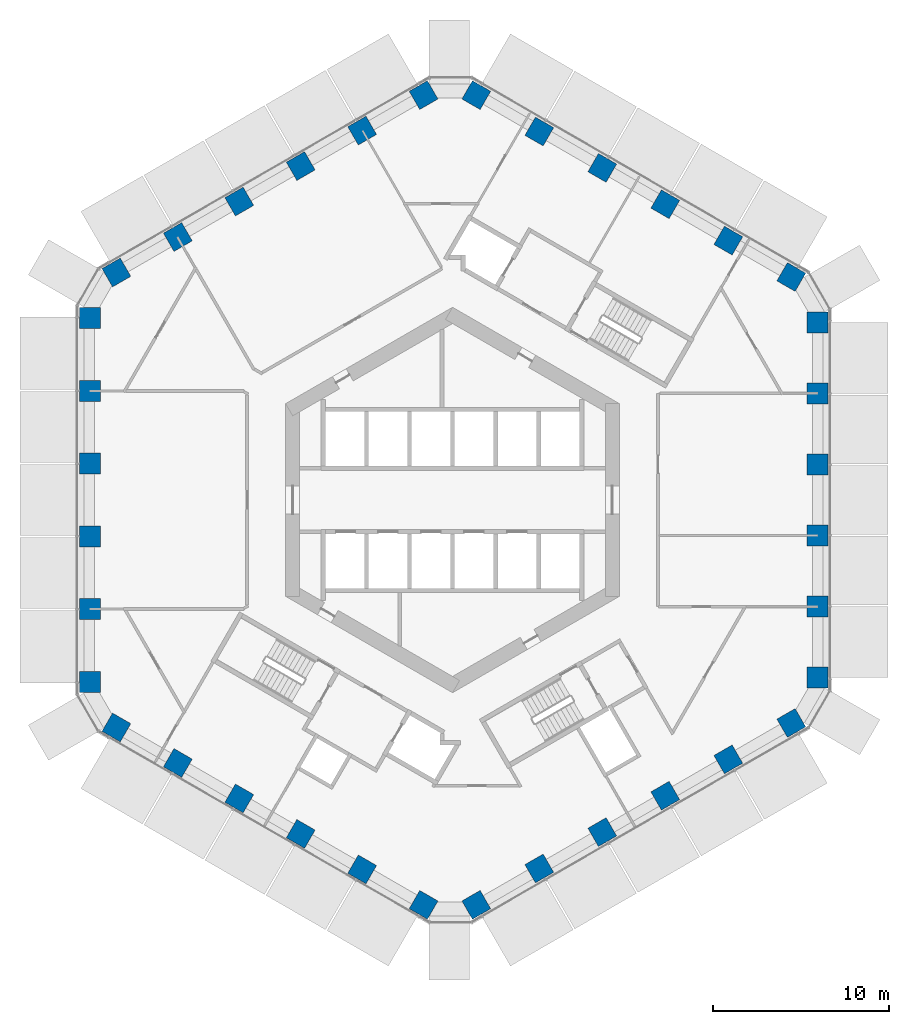
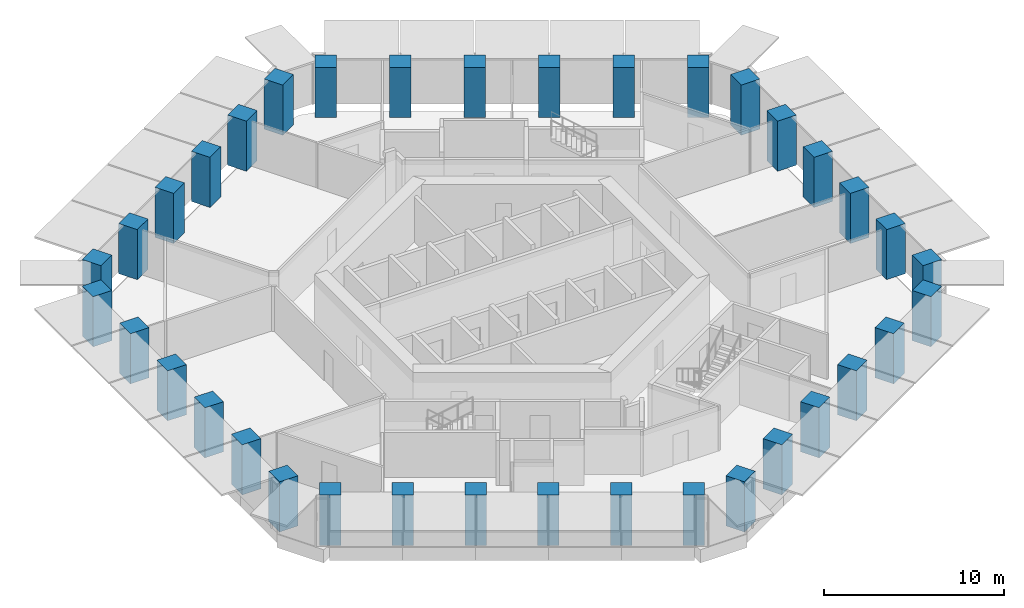
# One storey, part 1 of 19: 36 columns.
"""IFC4 building model written with IfcOpenShell, lengths in metres."""

from ifc_helpers import new_model, si_unit, direction, frame, origin, origin_2d, place, context, subcontext, project, spatial, rectangle, extrude, material, material_profile, profile_set, type_object, element, save


model = new_model("IFC4")

# Units and contexts
model_context = context("Model", 3, precision=1e-05, world=origin(), true_north=direction((0.0, 1.0)))
body_context = subcontext(model_context, "Body", "Model", "MODEL_VIEW")
ifc_project = project(units=[si_unit("LENGTHUNIT", "METRE"), si_unit("AREAUNIT", "SQUARE_METRE"), si_unit("VOLUMEUNIT", "CUBIC_METRE"), si_unit("PLANEANGLEUNIT", "RADIAN"), si_unit("MASSUNIT", "GRAM", prefix="KILO")], contexts=[model_context])

# Site, building, storey
site_placement = place(None, origin())
site = spatial("IfcSite", under=ifc_project, at=site_placement, CompositionType="ELEMENT")
building_placement = place(site_placement, origin())
building = spatial("IfcBuilding", under=site, at=building_placement, Name="Ayvan Gate Tower", CompositionType="ELEMENT")
storey_placement = place(building_placement, frame((0.0, 0.0, 32.300048828125)))
storey = spatial("IfcBuildingStorey", under=building, at=storey_placement, Name="L07", CompositionType="ELEMENT", Elevation=32.300048828125)

# Columns
ifc_material = material(Name="Concrete C70/85", Category="concrete")
ifc_material_profile = material_profile(ifc_material, rectangle(XDim=1.199951171875, YDim=1.199951171875, at=origin_2d()), Name="RC 1200x1200")
ifc_profile_set = profile_set([ifc_material_profile], Name="Concrete C70/85")
column_type = type_object("IfcColumnType", Name="Tube column RC 1200x1200 C70/85", PredefinedType="COLUMN", material=ifc_profile_set)
for number, where, z_axis, x_axis, name in (
    (1, (20.78466796875, -10.0966796875, 0.0), (0.0, 0.0, 1.0), (1.0, 0.0, 0.0), "C-T0-0-L07"),
    (2, (20.78466796875, -6.057861328125, 0.0), (0.0, 0.0, 1.0), (1.0, 0.0, 0.0), "C-T0-1-L07"),
    (3, (20.78466796875, -2.019287109375, 0.0), (0.0, 0.0, 1.0), (1.0, 0.0, 0.0), "C-T0-2-L07"),
    (4, (20.78466796875, 2.019287109375, 0.0), (0.0, 0.0, 1.0), (1.0, 0.0, 0.0), "C-T0-3-L07"),
    (5, (20.78466796875, 6.057861328125, 0.0), (0.0, 0.0, 1.0), (1.0, 0.0, 0.0), "C-T0-4-L07"),
    (6, (20.78466796875, 10.0966796875, 0.0), (0.0, 0.0, 1.0), (1.0, 0.0, 0.0), "C-T0-5-L07"),
    (7, (19.28466796875, 12.69482421875, 0.0), (0.0, 0.0, 1.0), (0.5, 0.866025403784, 0.0), "C-T1-0-L07"),
    (8, (15.697998046875, 14.765380859375, 0.0), (0.0, 0.0, 1.0), (0.5, 0.866025403784, 0.0), "C-T1-1-L07"),
    (9, (12.111328125, 16.836181640625, 0.0), (0.0, 0.0, 1.0), (0.5, 0.866025403784, 0.0), "C-T1-2-L07"),
    (10, (8.52490234375, 18.906982421875, 0.0), (0.0, 0.0, 1.0), (0.5, 0.866025403784, 0.0), "C-T1-3-L07"),
    (11, (4.938232421875, 20.9775390625, 0.0), (0.0, 0.0, 1.0), (0.5, 0.866025403784, 0.0), "C-T1-4-L07"),
    (12, (1.3515625, 23.04833984375, 0.0), (0.0, 0.0, 1.0), (0.5, 0.866025403784, 0.0), "C-T1-5-L07"),
    (13, (-1.6484375, 23.04833984375, 0.0), (0.0, 0.0, 1.0), (-0.5, 0.866025403784, 0.0), "C-T2-0-L07"),
    (14, (-5.14599609375, 21.029052734375, 0.0), (0.0, 0.0, 1.0), (-0.5, 0.866025403784, 0.0), "C-T2-1-L07"),
    (15, (-8.6435546875, 19.009765625, 0.0), (0.0, 0.0, 1.0), (-0.5, 0.866025403784, 0.0), "C-T2-2-L07"),
    (16, (-12.14111328125, 16.990234375, 0.0), (0.0, 0.0, 1.0), (-0.5, 0.866025403784, 0.0), "C-T2-3-L07"),
    (17, (-15.638671875, 14.970947265625, 0.0), (0.0, 0.0, 1.0), (-0.5, 0.866025403784, 0.0), "C-T2-4-L07"),
    (18, (-19.13623046875, 12.95166015625, 0.0), (0.0, 0.0, 1.0), (-0.5, 0.866025403784, 0.0), "C-T2-5-L07"),
    (19, (-20.63623046875, 10.353515625, 0.0), (0.0, 0.0, 1.0), (-1.0, 0.0, 0.0), "C-T3-0-L07"),
    (20, (-20.63623046875, 6.212158203125, 0.0), (0.0, 0.0, 1.0), (-1.0, 0.0, 0.0), "C-T3-1-L07"),
    (21, (-20.63623046875, 2.07080078125, 0.0), (0.0, 0.0, 1.0), (-1.0, 0.0, 0.0), "C-T3-2-L07"),
    (22, (-20.63623046875, -2.07080078125, 0.0), (0.0, 0.0, 1.0), (-1.0, 0.0, 0.0), "C-T3-3-L07"),
    (23, (-20.63623046875, -6.212158203125, 0.0), (0.0, 0.0, 1.0), (-1.0, 0.0, 0.0), "C-T3-4-L07"),
    (24, (-20.63623046875, -10.353515625, 0.0), (0.0, 0.0, 1.0), (-1.0, 0.0, 0.0), "C-T3-5-L07"),
    (25, (-19.13623046875, -12.95166015625, 0.0), (0.0, 0.0, 1.0), (-0.5, -0.866025403784, 0.0), "C-T4-0-L07"),
    (26, (-15.638671875, -14.970947265625, 0.0), (0.0, 0.0, 1.0), (-0.5, -0.866025403784, 0.0), "C-T4-1-L07"),
    (27, (-12.14111328125, -16.990234375, 0.0), (0.0, 0.0, 1.0), (-0.5, -0.866025403784, 0.0), "C-T4-2-L07"),
    (28, (-8.6435546875, -19.009765625, 0.0), (0.0, 0.0, 1.0), (-0.5, -0.866025403784, 0.0), "C-T4-3-L07"),
    (29, (-5.14599609375, -21.029052734375, 0.0), (0.0, 0.0, 1.0), (-0.5, -0.866025403784, 0.0), "C-T4-4-L07"),
    (30, (-1.6484375, -23.04833984375, 0.0), (0.0, 0.0, 1.0), (-0.5, -0.866025403784, 0.0), "C-T4-5-L07"),
    (31, (1.3515625, -23.04833984375, 0.0), (0.0, 0.0, 1.0), (0.5, -0.866025403784, 0.0), "C-T5-0-L07"),
    (32, (4.938232421875, -20.9775390625, 0.0), (0.0, 0.0, 1.0), (0.5, -0.866025403784, 0.0), "C-T5-1-L07"),
    (33, (8.52490234375, -18.906982421875, 0.0), (0.0, 0.0, 1.0), (0.5, -0.866025403784, 0.0), "C-T5-2-L07"),
    (34, (12.111328125, -16.836181640625, 0.0), (0.0, 0.0, 1.0), (0.5, -0.866025403784, 0.0), "C-T5-3-L07"),
    (35, (15.697998046875, -14.765380859375, 0.0), (0.0, 0.0, 1.0), (0.5, -0.866025403784, 0.0), "C-T5-4-L07"),
    (36, (19.28466796875, -12.69482421875, 0.0), (0.0, 0.0, 1.0), (0.5, -0.866025403784, 0.0), "C-T5-5-L07"),
):
    element("IfcColumn", number, at=place(storey_placement, frame(where, z_axis=z_axis, x_axis=x_axis)), inside=storey, type_object=column_type, Name=name, PredefinedType="COLUMN", context=body_context, shape_type="SweptSolid", body=[
        extrude(rectangle(XDim=1.199951171875, YDim=1.199951171875, at=origin_2d()), origin(), (0.0, 0.0, 1.0), 3.39990234375),
    ])

save(model, "model.ifc")
